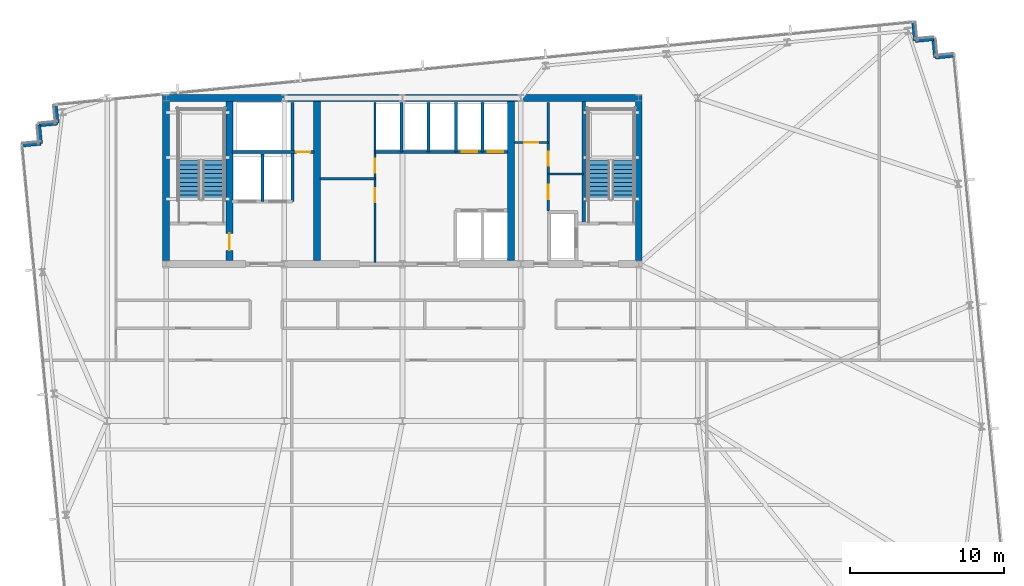
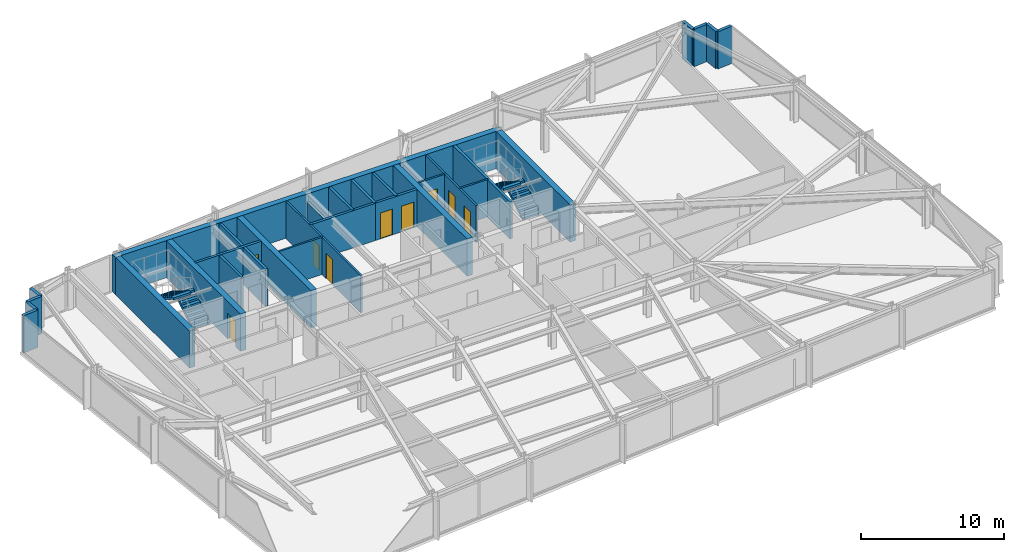
# One storey, part 26 of 32: 29 walls, 9 doors, 4 stair flights, 9 openings, 2 elements without a shape of their own.
"""IFC4 building model written with IfcOpenShell, lengths in metres."""

from ifc_helpers import new_model, si_unit, direction, frame, frame_2d, origin, place, context, subcontext, project, spatial, polyline, rectangle, outline, extrude, material, layer, layer_set, type_object, element, fill, aggregate, save


model = new_model("IFC4")

# Units and contexts
model_context = context("Model", 3, precision=1e-05, world=origin(), true_north=direction((0.0, 1.0)))
body_context = subcontext(model_context, "Body", "Model", "MODEL_VIEW")
ifc_project = project(units=[si_unit("LENGTHUNIT", "METRE"), si_unit("AREAUNIT", "SQUARE_METRE"), si_unit("VOLUMEUNIT", "CUBIC_METRE"), si_unit("PLANEANGLEUNIT", "RADIAN"), si_unit("MASSUNIT", "GRAM", prefix="KILO")], contexts=[model_context])

# Site, building, storey
site_placement = place(None, origin())
site = spatial("IfcSite", under=ifc_project, at=site_placement, CompositionType="ELEMENT")
building_placement = place(site_placement, origin())
building = spatial("IfcBuilding", under=site, at=building_placement, Name="Yelkora Congress Tower", CompositionType="ELEMENT")
storey_placement = place(building_placement, frame((0.0, 0.0, 116.89990234375)))
storey = spatial("IfcBuildingStorey", under=building, at=storey_placement, Name="L31", CompositionType="ELEMENT", Elevation=116.89990234375)

# Walls
ifc_material_1 = material(Name="Concrete C50/60", Category="concrete")
ifc_layer_1 = layer(ifc_material_1, 0.219970703125)
ifc_layer_set_1 = layer_set([ifc_layer_1], Name="Concrete C50/60")
wall_type_1 = type_object("IfcWallType", Name="WALL-CORE-INT-220", PredefinedType="SHEAR", material=ifc_layer_set_1)
wall_1_placement = place(storey_placement, frame((50.179931640625, 38.050048828125, 0.0), z_axis=(0.0, 0.0, 1.0), x_axis=(0.0, 1.0, 0.0)))
element("IfcWall", 1, at=wall_1_placement, inside=storey, type_object=wall_type_1, Name="L31 ST02 West Stair Shear Wall", PredefinedType="SHEAR", context=body_context, shape_type="SweptSolid", body=[
    extrude(rectangle(XDim=7.925048828125, YDim=0.219970703125, at=frame_2d((3.96240234375, 0.0))), origin(), (0.0, 0.0, 1.0), 3.18017578125),
])
ifc_material_2 = material(Name="Concrete C60/75", Category="concrete")
ifc_layer_2 = layer(ifc_material_2, 0.449951171875)
ifc_layer_set_2 = layer_set([ifc_layer_2], Name="Concrete C60/75")
wall_type_2 = type_object("IfcWallType", Name="WALL-CORE-INT-450", PredefinedType="SHEAR", material=ifc_layer_set_2)
wall_2_placement = place(storey_placement, frame((22.81494140625, 46.199951171875, 0.0), z_axis=(0.0, 0.0, 1.0), x_axis=(1.0, 0.0, 0.0)))
element("IfcWall", 2, at=wall_2_placement, inside=storey, type_object=wall_type_2, Name="L31 Rear Core North Shear Wall", PredefinedType="SHEAR", context=body_context, shape_type="SweptSolid", body=[
    extrude(rectangle(XDim=31.170166015625, YDim=0.449951171875, at=frame_2d((15.5849609375, 0.0))), origin(), (0.0, 0.0, 1.0), 3.18017578125),
])
wall_3_placement = place(storey_placement, frame((23.0400390625, 35.625, 0.0), z_axis=(0.0, 0.0, 1.0), x_axis=(0.0, 1.0, 0.0)))
element("IfcWall", 3, at=wall_3_placement, inside=storey, type_object=wall_type_2, Name="L31 Rear Core Cross Shear Wall W", PredefinedType="SHEAR", context=body_context, shape_type="SweptSolid", body=[
    extrude(rectangle(XDim=10.35009765625, YDim=0.449951171875, at=frame_2d((5.175048828125, 0.0))), origin(), (0.0, 0.0, 1.0), 3.18017578125),
])

# Wall, opening, door
wall_4_placement = place(storey_placement, frame((27.14990234375, 35.625, 0.0), z_axis=(0.0, 0.0, 1.0), x_axis=(0.0, 1.0, 0.0)))
wall_4 = element("IfcWall", 4, at=wall_4_placement, inside=storey, type_object=wall_type_2, Name="L31 Rear Core Cross Shear Wall C1", PredefinedType="SHEAR", context=body_context, shape_type="SweptSolid", body=[
    extrude(rectangle(XDim=10.35009765625, YDim=0.449951171875, at=frame_2d((5.175048828125, 0.0))), origin(), (0.0, 0.0, 1.0), 3.18017578125),
])
opening_1_placement = place(wall_4_placement, frame((0.675048828125, 0.0, 0.0)))
opening_1 = element("IfcOpeningElement", 5, at=opening_1_placement, cuts=wall_4, Name="Opening DR-110F9", PredefinedType="OPENING", context=body_context, shape_type="SweptSolid", body=[
    extrude(rectangle(XDim=1.10009765625, YDim=2.14990234375, at=frame_2d((0.550048828125, 1.074951171875))), frame((0.0, 0.23486328125, 0.0), z_axis=(0.0, -1.0, 0.0), x_axis=(1.0, 0.0, 0.0)), (0.0, 0.0, 1.0), 0.469970703125),
])
ifc_material_3 = material(Name="Galvanised steel fire door leaf", Category="steel")
door_type_1 = type_object("IfcDoorType", Name="DOOR-FD90-1100", OperationType="NOTDEFINED", PredefinedType="DOOR", material=ifc_material_3)
door_1_placement = place(opening_1_placement, origin())
door_1 = element("IfcDoor", 6, at=door_1_placement, inside=storey, type_object=door_type_1, Name="L31 Firefighting Stair Transfer Door", OperationType="SINGLE_SWING_LEFT", OverallHeight=2.14990234375, OverallWidth=1.10009765625, PredefinedType="DOOR", context=body_context, shape_type="SweptSolid", body=[
    extrude(rectangle(XDim=1.10009765625, YDim=2.14990234375, at=frame_2d((0.550048828125, 1.074951171875))), frame((0.0, 0.02490234375, 0.0), z_axis=(0.0, -1.0, 0.0), x_axis=(1.0, 0.0, 0.0)), (0.0, 0.0, 1.0), 0.050048828125),
])
fill(opening_1, door_1)

# Walls
for number, where, z_axis, x_axis, name in (
    (7, (32.85009765625, 35.625, 0.0), (0.0, 0.0, 1.0), (0.0, 1.0, 0.0), "L31 Rear Core Cross Shear Wall C2"),
    (8, (45.449951171875, 35.625, 0.0), (0.0, 0.0, 1.0), (0.0, 1.0, 0.0), "L31 Rear Core Cross Shear Wall C3"),
    (9, (53.760009765625, 35.625, 0.0), (0.0, 0.0, 1.0), (0.0, 1.0, 0.0), "L31 Rear Core Cross Shear Wall E"),
):
    element("IfcWall", number, at=place(storey_placement, frame(where, z_axis=z_axis, x_axis=x_axis)), inside=storey, type_object=wall_type_2, Name=name, PredefinedType="SHEAR", context=body_context, shape_type="SweptSolid", body=[
        extrude(rectangle(XDim=10.35009765625, YDim=0.449951171875, at=frame_2d((5.175048828125, 0.0))), origin(), (0.0, 0.0, 1.0), 3.18017578125),
    ])
ifc_material_4 = material(Name="Concrete C40/50", Category="concrete")
ifc_layer_3 = layer(ifc_material_4, 0.239990234375)
ifc_layer_set_3 = layer_set([ifc_layer_3], Name="Concrete C40/50")
wall_type_3 = type_object("IfcWallType", Name="WALL-EXT-LIMESTONE-240", PredefinedType="SOLIDWALL", material=ifc_layer_set_3)
for number, where, z_axis, x_axis, name in (
    (10, (13.69091796875, 43.126708984375, 0.0), (0.0, 0.0, 1.0), (0.995398960025, 0.095817067274, 0.0), "L31 Serrated Corner Limestone Pier 6"),
    (11, (14.885498046875, 43.24169921875, 0.0), (0.0, 0.0, 1.0), (-0.095817067274, 0.995398960025, 0.0), "L31 Serrated Corner Limestone Pier 7"),
):
    element("IfcWall", number, at=place(storey_placement, frame(where, z_axis=z_axis, x_axis=x_axis)), inside=storey, type_object=wall_type_3, Name=name, PredefinedType="SOLIDWALL", context=body_context, shape_type="SweptSolid", body=[
        extrude(rectangle(XDim=1.2001953125, YDim=0.239990234375, at=frame_2d((0.60009765625, 0.0))), origin(), (0.0, 0.0, 1.0), 3.18017578125),
    ])
for number, where, z_axis, x_axis, name in (
    (12, (14.7705078125, 44.436279296875, 0.0), (0.0, 0.0, 1.0), (0.995397091755, 0.095836473879, 0.0), "L31 Serrated Corner Limestone Pier 8"),
    (13, (15.96484375, 44.55126953125, 0.0), (0.0, 0.0, 1.0), (-0.095836473879, 0.995397091755, 0.0), "L31 Serrated Corner Limestone Pier 9"),
):
    element("IfcWall", number, at=place(storey_placement, frame(where, z_axis=z_axis, x_axis=x_axis)), inside=storey, type_object=wall_type_3, Name=name, PredefinedType="SOLIDWALL", context=body_context, shape_type="SweptSolid", body=[
        extrude(rectangle(XDim=1.199951171875, YDim=0.239990234375, at=frame_2d((0.60009765625, 0.0))), origin(), (0.0, 0.0, 1.0), 3.18017578125),
    ])
for number, where, z_axis, x_axis, name in (
    (14, (71.61181640625, 51.114990234375, 0.0), (0.0, 0.0, 1.0), (0.095817067274, -0.995398960025, 0.0), "L31 Serrated Corner Limestone Pier 11"),
    (15, (71.726806640625, 49.92041015625, 0.0), (0.0, 0.0, 1.0), (0.995398960025, 0.095817067274, 0.0), "L31 Serrated Corner Limestone Pier 12"),
    (16, (72.92138671875, 50.035400390625, 0.0), (0.0, 0.0, 1.0), (0.095817067274, -0.995398960025, 0.0), "L31 Serrated Corner Limestone Pier 13"),
    (17, (73.036376953125, 48.8408203125, 0.0), (0.0, 0.0, 1.0), (0.995379537303, 0.096018626938, 0.0), "L31 Serrated Corner Limestone Pier 14"),
):
    element("IfcWall", number, at=place(storey_placement, frame(where, z_axis=z_axis, x_axis=x_axis)), inside=storey, type_object=wall_type_3, Name=name, PredefinedType="SOLIDWALL", context=body_context, shape_type="SweptSolid", body=[
        extrude(rectangle(XDim=1.2001953125, YDim=0.239990234375, at=frame_2d((0.60009765625, 0.0))), origin(), (0.0, 0.0, 1.0), 3.18017578125),
    ])

# Wall, opening, door
ifc_material_5 = material(Name="Acoustic metal-stud gypsum partition", Category="gypsum")
ifc_layer_4 = layer(ifc_material_5, 0.14990234375)
ifc_layer_set_4 = layer_set([ifc_layer_4], Name="Acoustic metal-stud gypsum partition")
wall_type_4 = type_object("IfcWallType", Name="WALL-INT-150-NR", PredefinedType="PARTITIONING", material=ifc_layer_set_4)
wall_5_placement = place(storey_placement, frame((45.679931640625, 43.31005859375, 0.0), z_axis=(0.0, 0.0, 1.0), x_axis=(1.0, 0.0, 0.0)))
wall_5 = element("IfcWall", 18, at=wall_5_placement, inside=storey, type_object=wall_type_4, Name="L31 Partition Wall 24", PredefinedType="PARTITIONING", context=body_context, shape_type="SweptSolid", body=[
    extrude(rectangle(XDim=2.199951171875, YDim=0.14990234375, at=frame_2d((1.10009765625, 0.0))), origin(), (0.0, 0.0, 1.0), 3.18017578125),
])
opening_2_placement = place(wall_5_placement, frame((0.64990234375, 0.0, 0.0)))
opening_2 = element("IfcOpeningElement", 19, at=opening_2_placement, cuts=wall_5, Name="Opening DR-090N", PredefinedType="OPENING", context=body_context, shape_type="SweptSolid", body=[
    extrude(rectangle(XDim=0.89990234375, YDim=2.14990234375, at=frame_2d((0.449951171875, 1.074951171875))), frame((0.0, 0.0849609375, 0.0), z_axis=(0.0, -1.0, 0.0), x_axis=(1.0, 0.0, 0.0)), (0.0, 0.0, 1.0), 0.169921875),
])
ifc_material_6 = material(Name="Moisture-resistant laminate door leaf", Category="wood")
door_type_2 = type_object("IfcDoorType", Name="DOOR-INT-900", OperationType="NOTDEFINED", PredefinedType="DOOR", material=ifc_material_6)
door_2_placement = place(opening_2_placement, origin())
door_2 = element("IfcDoor", 20, at=door_2_placement, inside=storey, type_object=door_type_2, Name="L31 Male WC Door", OperationType="SINGLE_SWING_RIGHT", OverallHeight=2.14990234375, OverallWidth=0.89990234375, PredefinedType="DOOR", context=body_context, shape_type="SweptSolid", body=[
    extrude(rectangle(XDim=0.89990234375, YDim=2.14990234375, at=frame_2d((0.449951171875, 1.074951171875))), frame((0.0, 0.02490234375, 0.0), z_axis=(0.0, -1.0, 0.0), x_axis=(1.0, 0.0, 0.0)), (0.0, 0.0, 1.0), 0.050048828125),
])
fill(opening_2, door_2)

# Wall
wall_6_placement = place(storey_placement, frame((47.8798828125, 41.260009765625, 0.0), z_axis=(0.0, 0.0, 1.0), x_axis=(1.0, 0.0, 0.0)))
element("IfcWall", 21, at=wall_6_placement, inside=storey, type_object=wall_type_4, Name="L31 Partition Wall 25", PredefinedType="PARTITIONING", context=body_context, shape_type="SweptSolid", body=[
    extrude(rectangle(XDim=2.300048828125, YDim=0.14990234375, at=frame_2d((1.14990234375, 0.0))), origin(), (0.0, 0.0, 1.0), 3.18017578125),
])

# Wall, openings, doors
wall_7_placement = place(storey_placement, frame((47.8798828125, 38.85009765625, 0.0), z_axis=(0.0, 0.0, 1.0), x_axis=(0.0, 1.0, 0.0)))
wall_7 = element("IfcWall", 22, at=wall_7_placement, inside=storey, type_object=wall_type_4, Name="L31 Partition Wall 26", PredefinedType="PARTITIONING", context=body_context, shape_type="SweptSolid", body=[
    extrude(rectangle(XDim=7.06982421875, YDim=0.14990234375, at=frame_2d((3.534912109375, 0.0))), origin(), (0.0, 0.0, 1.0), 3.18017578125),
])
opening_3_placement = place(wall_7_placement, frame((0.75, 0.0, 0.0)))
opening_3 = element("IfcOpeningElement", 23, at=opening_3_placement, cuts=wall_7, Name="Opening DR-095N", PredefinedType="OPENING", context=body_context, shape_type="SweptSolid", body=[
    extrude(rectangle(XDim=0.949951171875, YDim=2.14990234375, at=frame_2d((0.47509765625, 1.074951171875))), frame((0.0, 0.0849609375, 0.0), z_axis=(0.0, -1.0, 0.0), x_axis=(1.0, 0.0, 0.0)), (0.0, 0.0, 1.0), 0.169921875),
])
opening_4_placement = place(wall_7_placement, frame((2.949951171875, 0.0, 0.0)))
opening_4 = element("IfcOpeningElement", 24, at=opening_4_placement, cuts=wall_7, Name="Opening DR-090N", PredefinedType="OPENING", context=body_context, shape_type="SweptSolid", body=[
    extrude(rectangle(XDim=0.89990234375, YDim=2.14990234375, at=frame_2d((0.449951171875, 1.074951171875))), frame((0.0, 0.0849609375, 0.0), z_axis=(0.0, -1.0, 0.0), x_axis=(1.0, 0.0, 0.0)), (0.0, 0.0, 1.0), 0.169921875),
])
door_3_placement = place(opening_4_placement, origin())
door_3 = element("IfcDoor", 25, at=door_3_placement, inside=storey, type_object=door_type_2, Name="L31 Female WC Door", OperationType="SINGLE_SWING_RIGHT", OverallHeight=2.14990234375, OverallWidth=0.89990234375, PredefinedType="DOOR", context=body_context, shape_type="SweptSolid", body=[
    extrude(rectangle(XDim=0.89990234375, YDim=2.14990234375, at=frame_2d((0.449951171875, 1.074951171875))), frame((0.0, 0.02490234375, 0.0), z_axis=(0.0, -1.0, 0.0), x_axis=(1.0, 0.0, 0.0)), (0.0, 0.0, 1.0), 0.050048828125),
])
fill(opening_4, door_3)
ifc_material_7 = material(Name="Acoustic laminated timber office door", Category="wood")
door_type_3 = type_object("IfcDoorType", Name="DOOR-INT-950", OperationType="NOTDEFINED", PredefinedType="DOOR", material=ifc_material_7)
door_4_placement = place(opening_3_placement, origin())
door_4 = element("IfcDoor", 26, at=door_4_placement, inside=storey, type_object=door_type_3, Name="L31 Accessible WC Door", OperationType="SINGLE_SWING_LEFT", OverallHeight=2.14990234375, OverallWidth=0.949951171875, PredefinedType="DOOR", context=body_context, shape_type="SweptSolid", body=[
    extrude(rectangle(XDim=0.949951171875, YDim=2.14990234375, at=frame_2d((0.47509765625, 1.074951171875))), frame((0.0, 0.02490234375, 0.0), z_axis=(0.0, -1.0, 0.0), x_axis=(1.0, 0.0, 0.0)), (0.0, 0.0, 1.0), 0.050048828125),
])
fill(opening_3, door_4)

# Wall
ifc_material_8 = material(Name="Twin-stud fire-rated gypsum partition", Category="gypsum")
ifc_layer_5 = layer(ifc_material_8, 0.14990234375)
ifc_layer_set_5 = layer_set([ifc_layer_5], Name="Twin-stud fire-rated gypsum partition")
wall_type_5 = type_object("IfcWallType", Name="WALL-INT-150-R60", PredefinedType="PARTITIONING", material=ifc_layer_set_5)
wall_8_placement = place(storey_placement, frame((33.050048828125, 40.949951171875, 0.0), z_axis=(0.0, 0.0, 1.0), x_axis=(1.0, 0.0, 0.0)))
element("IfcWall", 27, at=wall_8_placement, inside=storey, type_object=wall_type_5, Name="L31 Partition Wall 11", PredefinedType="PARTITIONING", context=body_context, shape_type="SweptSolid", body=[
    extrude(rectangle(XDim=3.570068359375, YDim=0.14990234375, at=frame_2d((1.78515625, 0.0))), origin(), (0.0, 0.0, 1.0), 3.18017578125),
])

# Wall, openings, doors
wall_9_placement = place(storey_placement, frame((36.6201171875, 35.5, 0.0), z_axis=(0.0, 0.0, 1.0), x_axis=(0.0, 1.0, 0.0)))
wall_9 = element("IfcWall", 28, at=wall_9_placement, inside=storey, type_object=wall_type_5, Name="L31 Partition Wall 12", PredefinedType="PARTITIONING", context=body_context, shape_type="SweptSolid", body=[
    extrude(rectangle(XDim=10.419921875, YDim=0.14990234375, at=frame_2d((5.2099609375, 0.0))), origin(), (0.0, 0.0, 1.0), 3.18017578125),
])
opening_5_placement = place(wall_9_placement, frame((3.919921875, 0.0, 0.0)))
opening_5 = element("IfcOpeningElement", 29, at=opening_5_placement, cuts=wall_9, Name="Opening DR-090F6", PredefinedType="OPENING", context=body_context, shape_type="SweptSolid", body=[
    extrude(rectangle(XDim=0.89990234375, YDim=2.14990234375, at=frame_2d((0.449951171875, 1.074951171875))), frame((0.0, 0.0849609375, 0.0), z_axis=(0.0, -1.0, 0.0), x_axis=(1.0, 0.0, 0.0)), (0.0, 0.0, 1.0), 0.169921875),
])
opening_6_placement = place(wall_9_placement, frame((5.85009765625, 0.0, 0.0)))
opening_6 = element("IfcOpeningElement", 30, at=opening_6_placement, cuts=wall_9, Name="Opening DR-090F6", PredefinedType="OPENING", context=body_context, shape_type="SweptSolid", body=[
    extrude(rectangle(XDim=0.89990234375, YDim=2.14990234375, at=frame_2d((0.449951171875, 1.074951171875))), frame((0.0, 0.0849609375, 0.0), z_axis=(0.0, -1.0, 0.0), x_axis=(1.0, 0.0, 0.0)), (0.0, 0.0, 1.0), 0.169921875),
])
ifc_material_9 = material(Name="Painted steel riser fire door leaf", Category="steel")
door_type_4 = type_object("IfcDoorType", Name="DOOR-FD60-900", OperationType="NOTDEFINED", PredefinedType="DOOR", material=ifc_material_9)
door_5_placement = place(opening_5_placement, origin())
door_5 = element("IfcDoor", 31, at=door_5_placement, inside=storey, type_object=door_type_4, Name="L31 Telecom Store Door", OperationType="SINGLE_SWING_LEFT", OverallHeight=2.14990234375, OverallWidth=0.89990234375, PredefinedType="DOOR", context=body_context, shape_type="SweptSolid", body=[
    extrude(rectangle(XDim=0.89990234375, YDim=2.14990234375, at=frame_2d((0.449951171875, 1.074951171875))), frame((0.0, 0.02490234375, 0.0), z_axis=(0.0, -1.0, 0.0), x_axis=(1.0, 0.0, 0.0)), (0.0, 0.0, 1.0), 0.050048828125),
])
fill(opening_5, door_5)
door_6_placement = place(opening_6_placement, origin())
door_6 = element("IfcDoor", 32, at=door_6_placement, inside=storey, type_object=door_type_4, Name="L31 Archive Store Door", OperationType="SINGLE_SWING_RIGHT", OverallHeight=2.14990234375, OverallWidth=0.89990234375, PredefinedType="DOOR", context=body_context, shape_type="SweptSolid", body=[
    extrude(rectangle(XDim=0.89990234375, YDim=2.14990234375, at=frame_2d((0.449951171875, 1.074951171875))), frame((0.0, 0.02490234375, 0.0), z_axis=(0.0, -1.0, 0.0), x_axis=(1.0, 0.0, 0.0)), (0.0, 0.0, 1.0), 0.050048828125),
])
fill(opening_6, door_6)

# Walls
ifc_material_10 = material(Name="Autoclaved aerated concrete blockwork", Category="masonry")
ifc_layer_6 = layer(ifc_material_10, 0.199951171875)
ifc_layer_set_6 = layer_set([ifc_layer_6], Name="Autoclaved aerated concrete blockwork")
wall_type_6 = type_object("IfcWallType", Name="WALL-INT-200-R120", PredefinedType="PARTITIONING", material=ifc_layer_set_6)
wall_10_placement = place(storey_placement, frame((29.300048828125, 39.47998046875, 0.0), z_axis=(0.0, 0.0, 1.0), x_axis=(0.0, 1.0, 0.0)))
element("IfcWall", 33, at=wall_10_placement, inside=storey, type_object=wall_type_6, Name="L31 Partition Wall 4", PredefinedType="PARTITIONING", context=body_context, shape_type="SweptSolid", body=[
    extrude(rectangle(XDim=3.070068359375, YDim=0.199951171875, at=frame_2d((1.53515625, 0.0))), origin(), (0.0, 0.0, 1.0), 3.18017578125),
])
wall_11_placement = place(storey_placement, frame((31.260009765625, 39.47998046875, 0.0), z_axis=(0.0, 0.0, 1.0), x_axis=(0.0, 1.0, 0.0)))
element("IfcWall", 34, at=wall_11_placement, inside=storey, type_object=wall_type_6, Name="L31 Partition Wall 5", PredefinedType="PARTITIONING", context=body_context, shape_type="SweptSolid", body=[
    extrude(rectangle(XDim=6.43994140625, YDim=0.199951171875, at=frame_2d((3.219970703125, 0.0))), origin(), (0.0, 0.0, 1.0), 3.18017578125),
])

# Wall, opening, door
wall_12_placement = place(storey_placement, frame((27.320068359375, 42.679931640625, 0.0), z_axis=(0.0, 0.0, 1.0), x_axis=(1.0, 0.0, 0.0)))
wall_12 = element("IfcWall", 35, at=wall_12_placement, inside=storey, type_object=wall_type_6, Name="L31 Smoke Riser South Wall", PredefinedType="PARTITIONING", context=body_context, shape_type="SweptSolid", body=[
    extrude(rectangle(XDim=5.329833984375, YDim=0.199951171875, at=frame_2d((2.6650390625, 0.0))), origin(), (0.0, 0.0, 1.0), 3.18017578125),
])
opening_7_placement = place(wall_12_placement, frame((4.179931640625, 0.0, 0.0)))
opening_7 = element("IfcOpeningElement", 36, at=opening_7_placement, cuts=wall_12, Name="Opening DR-090F6", PredefinedType="OPENING", context=body_context, shape_type="SweptSolid", body=[
    extrude(rectangle(XDim=0.89990234375, YDim=2.14990234375, at=frame_2d((0.449951171875, 1.074951171875))), frame((0.0, 0.10986328125, 0.0), z_axis=(0.0, -1.0, 0.0), x_axis=(1.0, 0.0, 0.0)), (0.0, 0.0, 1.0), 0.219970703125),
])
door_7_placement = place(opening_7_placement, origin())
door_7 = element("IfcDoor", 37, at=door_7_placement, inside=storey, type_object=door_type_4, Name="L31 Riser Access Door", OperationType="SINGLE_SWING_LEFT", OverallHeight=2.14990234375, OverallWidth=0.89990234375, PredefinedType="DOOR", context=body_context, shape_type="SweptSolid", body=[
    extrude(rectangle(XDim=0.89990234375, YDim=2.14990234375, at=frame_2d((0.449951171875, 1.074951171875))), frame((0.0, 0.02490234375, 0.0), z_axis=(0.0, -1.0, 0.0), x_axis=(1.0, 0.0, 0.0)), (0.0, 0.0, 1.0), 0.050048828125),
])
fill(opening_7, door_7)

# Walls
wall_13_placement = place(storey_placement, frame((36.60009765625, 42.699951171875, 0.0), z_axis=(0.0, 0.0, 1.0), x_axis=(1.0, 0.0, 0.0)))
element("IfcWall", 38, at=wall_13_placement, inside=storey, type_object=wall_type_6, Name="L31 Partition Wall 8", PredefinedType="PARTITIONING", context=body_context, shape_type="SweptSolid", body=[
    extrude(rectangle(XDim=5.25, YDim=0.199951171875, at=frame_2d((2.625, 0.0))), origin(), (0.0, 0.0, 1.0), 3.18017578125),
])
wall_14_placement = place(storey_placement, frame((38.35009765625, 42.699951171875, 0.0), z_axis=(0.0, 0.0, 1.0), x_axis=(0.0, 1.0, 0.0)))
element("IfcWall", 39, at=wall_14_placement, inside=storey, type_object=wall_type_6, Name="L31 Partition Wall 9", PredefinedType="PARTITIONING", context=body_context, shape_type="SweptSolid", body=[
    extrude(rectangle(XDim=3.219970703125, YDim=0.199951171875, at=frame_2d((1.60986328125, 0.0))), origin(), (0.0, 0.0, 1.0), 2.525146484375),
])
wall_15_placement = place(storey_placement, frame((40.10009765625, 42.699951171875, 0.0), z_axis=(0.0, 0.0, 1.0), x_axis=(0.0, 1.0, 0.0)))
element("IfcWall", 40, at=wall_15_placement, inside=storey, type_object=wall_type_6, Name="L31 Partition Wall 10", PredefinedType="PARTITIONING", context=body_context, shape_type="SweptSolid", body=[
    extrude(rectangle(XDim=3.219970703125, YDim=0.199951171875, at=frame_2d((1.60986328125, 0.0))), origin(), (0.0, 0.0, 1.0), 3.18017578125),
])

# Wall, openings, doors
wall_16_placement = place(storey_placement, frame((41.85009765625, 42.699951171875, 0.0), z_axis=(0.0, 0.0, 1.0), x_axis=(1.0, 0.0, 0.0)))
wall_16 = element("IfcWall", 41, at=wall_16_placement, inside=storey, type_object=wall_type_6, Name="L31 Partition Wall 14", PredefinedType="PARTITIONING", context=body_context, shape_type="SweptSolid", body=[
    extrude(rectangle(XDim=3.369873046875, YDim=0.199951171875, at=frame_2d((1.68505859375, 0.0))), origin(), (0.0, 0.0, 1.0), 3.18017578125),
])
opening_8_placement = place(wall_16_placement, frame((0.39990234375, 0.0, 0.0)))
opening_8 = element("IfcOpeningElement", 42, at=opening_8_placement, cuts=wall_16, Name="Opening LD-PS10", PredefinedType="OPENING", context=body_context, shape_type="SweptSolid", body=[
    extrude(rectangle(XDim=1.0, YDim=2.199951171875, at=frame_2d((0.5, 1.10009765625))), frame((0.0, 0.10986328125, 0.0), z_axis=(0.0, -1.0, 0.0), x_axis=(1.0, 0.0, 0.0)), (0.0, 0.0, 1.0), 0.219970703125),
])
opening_9_placement = place(wall_16_placement, frame((2.10009765625, 0.0, 0.0)))
opening_9 = element("IfcOpeningElement", 43, at=opening_9_placement, cuts=wall_16, Name="Opening LD-PS10", PredefinedType="OPENING", context=body_context, shape_type="SweptSolid", body=[
    extrude(rectangle(XDim=1.0, YDim=2.199951171875, at=frame_2d((0.5, 1.10009765625))), frame((0.0, 0.10986328125, 0.0), z_axis=(0.0, -1.0, 0.0), x_axis=(1.0, 0.0, 0.0)), (0.0, 0.0, 1.0), 0.219970703125),
])
ifc_material_11 = material(Name="Champagne stainless steel landing door", Category="steel")
door_type_5 = type_object("IfcDoorType", Name="DOOR-LIFT-PAS-1000", OperationType="DOUBLE_DOOR_SLIDING", PredefinedType="DOOR", material=ifc_material_11)
door_8_placement = place(opening_8_placement, origin())
door_8 = element("IfcDoor", 44, at=door_8_placement, inside=storey, type_object=door_type_5, Name="Lift Landing Door LF-P7 L31", OperationType="DOUBLE_DOOR_SLIDING", OverallHeight=2.199951171875, OverallWidth=1.0, PredefinedType="DOOR", context=body_context, shape_type="SweptSolid", body=[
    extrude(rectangle(XDim=1.0, YDim=2.199951171875, at=frame_2d((0.5, 1.10009765625))), frame((0.0, 0.02490234375, 0.0), z_axis=(0.0, -1.0, 0.0), x_axis=(1.0, 0.0, 0.0)), (0.0, 0.0, 1.0), 0.050048828125),
])
fill(opening_8, door_8)
door_9_placement = place(opening_9_placement, origin())
door_9 = element("IfcDoor", 45, at=door_9_placement, inside=storey, type_object=door_type_5, Name="Lift Landing Door LF-P8 L31", OperationType="DOUBLE_DOOR_SLIDING", OverallHeight=2.199951171875, OverallWidth=1.0, PredefinedType="DOOR", context=body_context, shape_type="SweptSolid", body=[
    extrude(rectangle(XDim=1.0, YDim=2.199951171875, at=frame_2d((0.5, 1.10009765625))), frame((0.0, 0.02490234375, 0.0), z_axis=(0.0, -1.0, 0.0), x_axis=(1.0, 0.0, 0.0)), (0.0, 0.0, 1.0), 0.050048828125),
])
fill(opening_9, door_9)

# Walls
for number, where, z_axis, x_axis, name in (
    (46, (43.60009765625, 42.699951171875, 0.0), (0.0, 0.0, 1.0), (0.0, 1.0, 0.0), "L31 Partition Wall 16"),
    (47, (41.8798828125, 42.699951171875, 0.0), (0.0, 0.0, 1.0), (0.0, 1.0, 0.0), "L31 Partition Wall 18"),
):
    element("IfcWall", number, at=place(storey_placement, frame(where, z_axis=z_axis, x_axis=x_axis)), inside=storey, type_object=wall_type_6, Name=name, PredefinedType="PARTITIONING", context=body_context, shape_type="SweptSolid", body=[
        extrude(rectangle(XDim=3.219970703125, YDim=0.199951171875, at=frame_2d((1.60986328125, 0.0))), origin(), (0.0, 0.0, 1.0), 3.18017578125),
    ])

# Stair, stair flights
stair_type = type_object("IfcStairType", Name="STAIR-HT-1420-R20-170", PredefinedType="HALF_TURN_STAIR", material=ifc_material_4)
stair_1_placement = place(storey_placement, origin())
stair_1 = element("IfcStair", 48, at=stair_1_placement, inside=storey, type_object=stair_type, Name="West Core Protected Exit Stair ST-01 (L31)", PredefinedType="HALF_TURN_STAIR")
stair_flight_type = type_object("IfcStairFlightType", Name="FLIGHT-1420-N10-R170-G280", PredefinedType="STRAIGHT", material=ifc_material_4)
stair_flight_1_placement = place(storey_placement, frame((26.110107421875, 39.60009765625, 0.0), z_axis=(0.0, 0.0, 1.0), x_axis=(0.0, 1.0, 0.0)))
stair_flight_1 = element("IfcStairFlight", 49, at=stair_flight_1_placement, type_object=stair_flight_type, Name="ST-01 L31 Flight 1", NumberOfRisers=10, NumberOfTreads=9, PredefinedType="STRAIGHT", RiserHeight=0.17, TreadLength=0.28, context=body_context, shape_type="SweptSolid", body=[
    extrude(outline(polyline([(0.0, 0.0), (0.0, 0.169921875), (0.280029296875, 0.169921875), (0.280029296875, 0.340087890625), (0.56005859375, 0.340087890625), (0.56005859375, 0.510009765625), (0.840087890625, 0.510009765625), (0.840087890625, 0.679931640625), (1.1201171875, 0.679931640625), (1.1201171875, 0.85009765625), (1.39990234375, 0.85009765625), (1.39990234375, 1.02001953125), (1.679931640625, 1.02001953125), (1.679931640625, 1.18994140625), (1.9599609375, 1.18994140625), (1.9599609375, 1.360107421875), (2.239990234375, 1.360107421875), (2.239990234375, 1.530029296875), (2.52001953125, 1.530029296875), (2.52001953125, 1.699951171875), (2.52001953125, 1.343017578125), (0.30810546875, 0.0), (0.0, 0.0)])), frame((0.0, 0.7099609375, 0.0), z_axis=(0.0, -1.0, 0.0), x_axis=(1.0, 0.0, 0.0)), (0.0, 0.0, 1.0), 1.419921875),
])
stair_flight_2_placement = place(storey_placement, frame((24.530029296875, 42.1201171875, 1.7001953125), z_axis=(0.0, 0.0, 1.0), x_axis=(0.0, -1.0, 0.0)))
stair_flight_2 = element("IfcStairFlight", 50, at=stair_flight_2_placement, type_object=stair_flight_type, Name="ST-01 L31 Flight 2", NumberOfRisers=10, NumberOfTreads=9, PredefinedType="STRAIGHT", RiserHeight=0.17, TreadLength=0.28, context=body_context, shape_type="SweptSolid", body=[
    extrude(outline(polyline([(0.0, 0.0), (0.0, 0.169921875), (0.280029296875, 0.169921875), (0.280029296875, 0.340087890625), (0.56005859375, 0.340087890625), (0.56005859375, 0.510009765625), (0.840087890625, 0.510009765625), (0.840087890625, 0.679931640625), (1.1201171875, 0.679931640625), (1.1201171875, 0.85009765625), (1.39990234375, 0.85009765625), (1.39990234375, 1.02001953125), (1.679931640625, 1.02001953125), (1.679931640625, 1.18994140625), (1.9599609375, 1.18994140625), (1.9599609375, 1.360107421875), (2.239990234375, 1.360107421875), (2.239990234375, 1.530029296875), (2.52001953125, 1.530029296875), (2.52001953125, 1.699951171875), (2.52001953125, 1.343017578125), (0.30810546875, 0.0), (0.0, 0.0)])), frame((0.0, 0.7099609375, 0.0), z_axis=(0.0, -1.0, 0.0), x_axis=(1.0, 0.0, 0.0)), (0.0, 0.0, 1.0), 1.419921875),
])
aggregate(stair_1, [stair_flight_1, stair_flight_2])

stair_2_placement = place(storey_placement, origin())
stair_2 = element("IfcStair", 51, at=stair_2_placement, inside=storey, type_object=stair_type, Name="East Core Protected Exit Stair ST-02 (L31)", PredefinedType="HALF_TURN_STAIR")
stair_flight_3_placement = place(storey_placement, frame((52.75, 39.60009765625, 0.0), z_axis=(0.0, 0.0, 1.0), x_axis=(0.0, 1.0, 0.0)))
stair_flight_3 = element("IfcStairFlight", 52, at=stair_flight_3_placement, type_object=stair_flight_type, Name="ST-02 L31 Flight 1", NumberOfRisers=10, NumberOfTreads=9, PredefinedType="STRAIGHT", RiserHeight=0.17, TreadLength=0.28, context=body_context, shape_type="SweptSolid", body=[
    extrude(outline(polyline([(0.0, 0.0), (0.0, 0.169921875), (0.280029296875, 0.169921875), (0.280029296875, 0.340087890625), (0.56005859375, 0.340087890625), (0.56005859375, 0.510009765625), (0.840087890625, 0.510009765625), (0.840087890625, 0.679931640625), (1.1201171875, 0.679931640625), (1.1201171875, 0.85009765625), (1.39990234375, 0.85009765625), (1.39990234375, 1.02001953125), (1.679931640625, 1.02001953125), (1.679931640625, 1.18994140625), (1.9599609375, 1.18994140625), (1.9599609375, 1.360107421875), (2.239990234375, 1.360107421875), (2.239990234375, 1.530029296875), (2.52001953125, 1.530029296875), (2.52001953125, 1.699951171875), (2.52001953125, 1.343017578125), (0.30810546875, 0.0), (0.0, 0.0)])), frame((0.0, 0.7099609375, 0.0), z_axis=(0.0, -1.0, 0.0), x_axis=(1.0, 0.0, 0.0)), (0.0, 0.0, 1.0), 1.419921875),
])
stair_flight_4_placement = place(storey_placement, frame((51.169921875, 42.1201171875, 1.7001953125), z_axis=(0.0, 0.0, 1.0), x_axis=(0.0, -1.0, 0.0)))
stair_flight_4 = element("IfcStairFlight", 53, at=stair_flight_4_placement, type_object=stair_flight_type, Name="ST-02 L31 Flight 2", NumberOfRisers=10, NumberOfTreads=9, PredefinedType="STRAIGHT", RiserHeight=0.17, TreadLength=0.28, context=body_context, shape_type="SweptSolid", body=[
    extrude(outline(polyline([(0.0, 0.0), (0.0, 0.169921875), (0.280029296875, 0.169921875), (0.280029296875, 0.340087890625), (0.56005859375, 0.340087890625), (0.56005859375, 0.510009765625), (0.840087890625, 0.510009765625), (0.840087890625, 0.679931640625), (1.1201171875, 0.679931640625), (1.1201171875, 0.85009765625), (1.39990234375, 0.85009765625), (1.39990234375, 1.02001953125), (1.679931640625, 1.02001953125), (1.679931640625, 1.18994140625), (1.9599609375, 1.18994140625), (1.9599609375, 1.360107421875), (2.239990234375, 1.360107421875), (2.239990234375, 1.530029296875), (2.52001953125, 1.530029296875), (2.52001953125, 1.699951171875), (2.52001953125, 1.343017578125), (0.30810546875, 0.0), (0.0, 0.0)])), frame((0.0, 0.7099609375, 0.0), z_axis=(0.0, -1.0, 0.0), x_axis=(1.0, 0.0, 0.0)), (0.0, 0.0, 1.0), 1.419921875),
])
aggregate(stair_2, [stair_flight_3, stair_flight_4])

save(model, "model.ifc")
